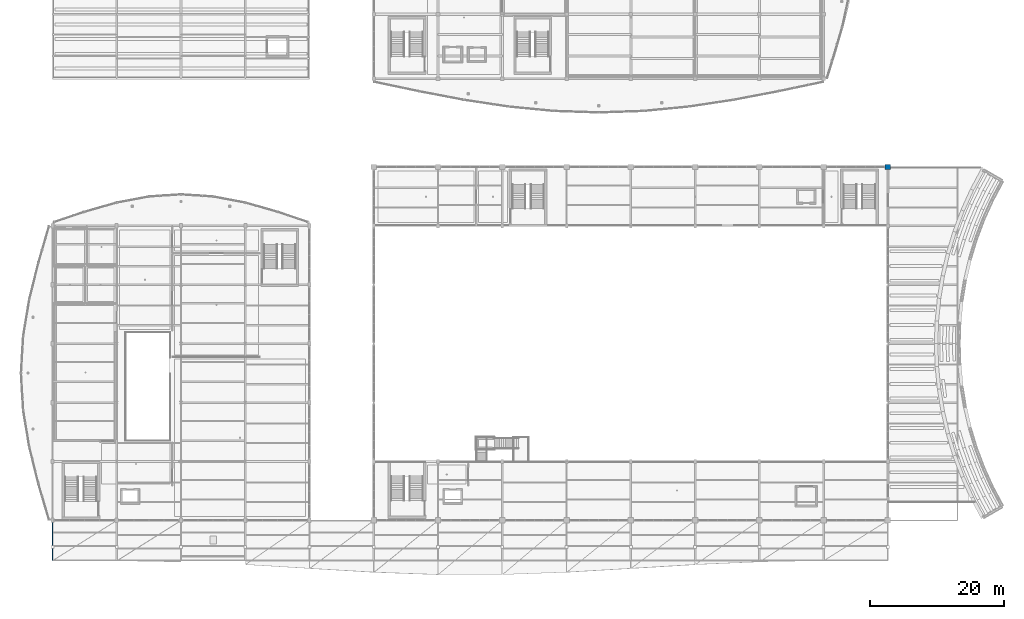
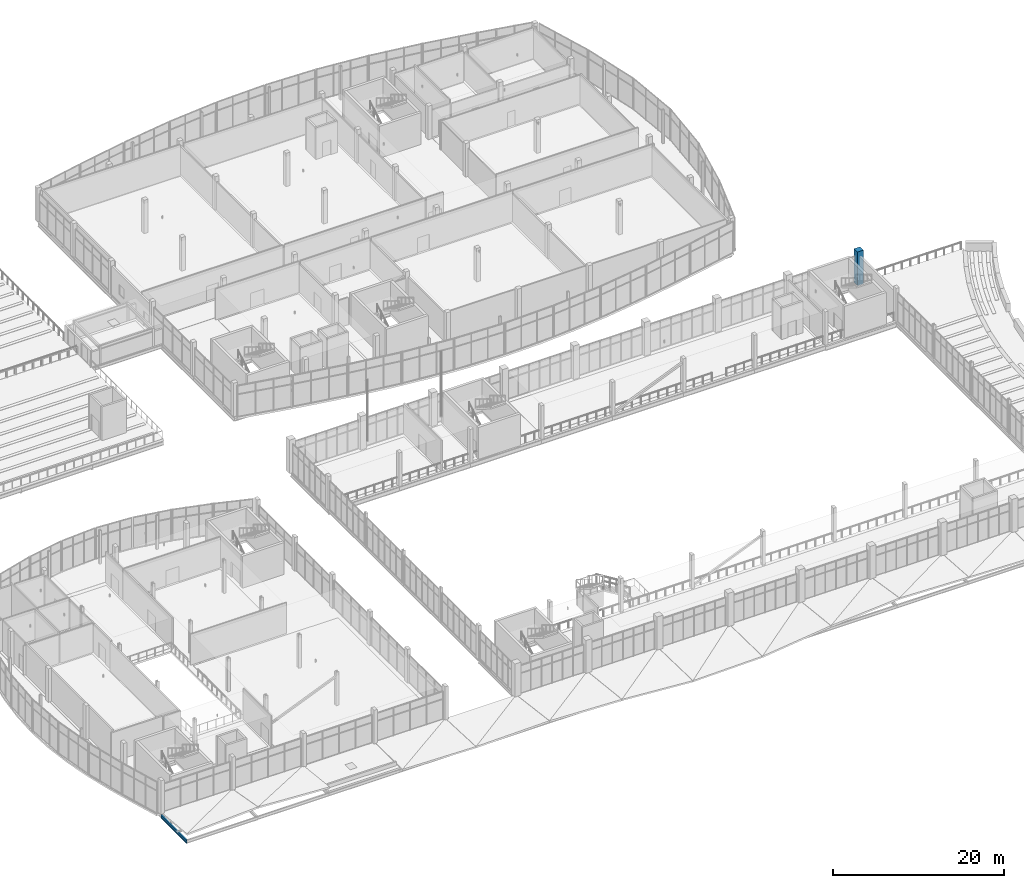
# One storey, part 13 of 157: 1 beam, 1 column.
"""IFC4 building model written with IfcOpenShell, lengths in metres."""

import ifcopenshell
import ifcopenshell.guid

model = None  # the IFC model being written
_history = None  # IfcOwnerHistory: only IFC2X3 demands one
_inside = {}  # id of a spatial element -> (the spatial element, [elements in it])
_under = {}  # id of a project, library or spatial element -> (it, [spatial elements below it])
_declared = {}  # id of a project -> (the project, [libraries it declares])
_typed = {}  # id of a type object -> (the type object, [elements of that type])
_made_of = {}  # id of a material, layer set ... -> (it, [elements and type objects made of it])


def new_model(schema):
    """Start an empty IFC model of exactly this schema.

    Asked for "IFC4X3", IfcOpenShell would pick the latest addendum, in which some entities
    have other attributes; the version numbers below select the first issue.
    IFC2X3 requires an IfcOwnerHistory on every rooted entity: one is made here for all.
    """
    global model, _history
    if schema == "IFC4X3":
        model = ifcopenshell.file(schema_version=(4, 3, 0, 0))
    else:
        model = ifcopenshell.file(schema=schema)
    _inside.clear()
    _under.clear()
    _declared.clear()
    _typed.clear()
    _made_of.clear()
    _history = None
    if model.schema == "IFC2X3":
        org = make("IfcOrganization", Name="unknown")
        user = make(
            "IfcPersonAndOrganization",
            ThePerson=make("IfcPerson", FamilyName="unknown"),
            TheOrganization=org,
        )
        app = make(
            "IfcApplication",
            ApplicationDeveloper=org,
            Version="unknown",
            ApplicationFullName="unknown",
            ApplicationIdentifier="unknown",
        )
        _history = make(
            "IfcOwnerHistory",
            OwningUser=user,
            OwningApplication=app,
            ChangeAction="ADDED",
            CreationDate=0,
        )
    return model


def make(cls, **values):
    """One entity of the class cls with the attributes given. An attribute that is None is left unset."""
    return model.create_entity(
        cls, **{name: value for name, value in values.items() if value is not None}
    )


def rooted(cls, **values):
    """An entity with a GlobalId (a new one), such as an element, a storey or a relation."""
    return make(cls, GlobalId=ifcopenshell.guid.new(), OwnerHistory=_history, **values)


def si_unit(unit_type, name, prefix=None):
    """IfcSIUnit, for example si_unit("LENGTHUNIT", "METRE", prefix="MILLI")."""
    return make("IfcSIUnit", UnitType=unit_type, Prefix=prefix, Name=name)


def assignment(units):
    """IfcUnitAssignment: the units of a project."""
    return None if units is None else make("IfcUnitAssignment", Units=units)


def point(xyz):
    """IfcCartesianPoint."""
    return None if xyz is None else make("IfcCartesianPoint", Coordinates=xyz)


def direction(xyz):
    """IfcDirection."""
    return None if xyz is None else make("IfcDirection", DirectionRatios=xyz)


def frame(location, z_axis=None, x_axis=None):
    """IfcAxis2Placement3D, a coordinate frame: its origin and axes. An axis left out is left unset."""
    return make(
        "IfcAxis2Placement3D",
        Location=point(location),
        Axis=direction(z_axis),
        RefDirection=direction(x_axis),
    )


def frame_2d(location, x_axis=None):
    """IfcAxis2Placement2D, a coordinate frame in the plane: its origin and x axis."""
    return make(
        "IfcAxis2Placement2D", Location=point(location), RefDirection=direction(x_axis)
    )


def origin():
    """The frame at (0, 0, 0) with its axes left unset."""
    return frame((0.0, 0.0, 0.0))


def origin_2d():
    """The frame at (0, 0) in the plane with its x axis left unset."""
    return frame_2d((0.0, 0.0))


def place(relative_to, where):
    """IfcLocalPlacement: puts the frame where relative to a parent placement (None: the world)."""
    return make(
        "IfcLocalPlacement", PlacementRelTo=relative_to, RelativePlacement=where
    )


def context(
    kind, dimensions, precision=None, world=None, true_north=None, identifier=None
):
    """IfcGeometricRepresentationContext, for example the 3D "Model" context."""
    return make(
        "IfcGeometricRepresentationContext",
        ContextIdentifier=identifier,
        ContextType=kind,
        CoordinateSpaceDimension=dimensions,
        Precision=precision,
        WorldCoordinateSystem=world,
        TrueNorth=true_north,
    )


def subcontext(parent, identifier, kind, view, scale=None):
    """IfcGeometricRepresentationSubContext, for example "Body" below "Model"."""
    return make(
        "IfcGeometricRepresentationSubContext",
        ContextIdentifier=identifier,
        ContextType=kind,
        ParentContext=parent,
        TargetScale=scale,
        TargetView=view,
    )


def project(units=None, contexts=None):
    """IfcProject with its units and contexts."""
    return rooted(
        "IfcProject",
        Name="project",
        RepresentationContexts=contexts,
        UnitsInContext=assignment(units),
    )


def spatial(cls, under=None, at=None, **own):
    """A site, building, storey or space (cls), placed at a placement, below another one or the project."""
    s = rooted(cls, ObjectPlacement=at, **own)
    if under is not None:
        _under.setdefault(under.id(), (under, []))[1].append(s)
    return s


def profile(cls, at=None, kind="AREA", **sizes):
    """A parametric profile (cls). Its sizes go by their IFC names, for example OverallWidth=200.0."""
    return make(cls, ProfileType=kind, Position=at, **sizes)


def rectangle(**sizes):
    """IfcRectangleProfileDef."""
    return profile("IfcRectangleProfileDef", **sizes)


def i_section(**sizes):
    """IfcIShapeProfileDef."""
    return profile("IfcIShapeProfileDef", **sizes)


def extrude(swept, where, along, depth):
    """IfcExtrudedAreaSolid: the profile swept, set in the frame where, extruded along a direction by depth."""
    return make(
        "IfcExtrudedAreaSolid",
        SweptArea=swept,
        Position=where,
        ExtrudedDirection=direction(along),
        Depth=depth,
    )


def shape(context_of_items, identifier, shape_type, items):
    """IfcShapeRepresentation: the items that make up one representation, for example the "Body"."""
    return make(
        "IfcShapeRepresentation",
        ContextOfItems=context_of_items,
        RepresentationIdentifier=identifier,
        RepresentationType=shape_type,
        Items=items,
    )


def material(Name=None, Category=None):
    """IfcMaterial."""
    return make("IfcMaterial", Name=Name, Category=Category)


def material_profile(
    of_material, cross_section, Name=None, Category=None, Priority=None
):
    """IfcMaterialProfile: a cross section and its material."""
    return make(
        "IfcMaterialProfile",
        Name=Name,
        Material=of_material,
        Profile=cross_section,
        Priority=Priority,
        Category=Category,
    )


def profile_set(profiles, Name=None, composite=None):
    """IfcMaterialProfileSet."""
    return make(
        "IfcMaterialProfileSet",
        Name=Name,
        MaterialProfiles=profiles,
        CompositeProfile=composite,
    )


def made_of(thing, what):
    """Note that an element or type object is made of a material, layer set ...; save() writes the relation."""
    if what is not None:
        _made_of.setdefault(what.id(), (what, []))[1].append(thing)
    return thing


def type_object(cls, material=None, **own):
    """A type object (cls), such as IfcWallType, which elements share."""
    return made_of(rooted(cls, **own), material)


def element(
    cls,
    number,
    at=None,
    inside=None,
    cuts=None,
    type_object=None,
    material=None,
    context=None,
    identifier="Body",
    shape_type=None,
    held_by="IfcProductDefinitionShape",
    body=None,
    shapes=None,
    **own,
):
    """One element of the class cls, such as IfcWall. Its Tag is "e" and its number.

    at: its placement. inside: the storey or other place that contains it. cuts: it is an
    opening in that element (IfcRelVoidsElement). A single representation is given by context,
    identifier, shape_type and body (its items); several are given by shapes. held_by: the class
    of the entity that holds the representations. save() writes the other relations.
    """
    e = rooted(cls, Tag="e%d" % number, ObjectPlacement=at, **own)
    if body is not None:
        shapes = [shape(context, identifier, shape_type, body)]
    if shapes is not None:
        e.Representation = make(held_by, Representations=shapes)
    if inside is not None:
        _inside.setdefault(inside.id(), (inside, []))[1].append(e)
    if cuts is not None:
        rooted(
            "IfcRelVoidsElement", RelatingBuildingElement=cuts, RelatedOpeningElement=e
        )
    if type_object is not None:
        _typed.setdefault(type_object.id(), (type_object, []))[1].append(e)
    return made_of(e, material)


def aggregate(whole, parts):
    """IfcRelAggregates: a whole, such as a stair, and the parts it consists of."""
    return rooted("IfcRelAggregates", RelatingObject=whole, RelatedObjects=parts)


def save(model, path):
    """Write the relations noted so far, then the file.

    IfcRelAggregates (storeys below a building ...), IfcRelContainedInSpatialStructure (elements
    in a storey), IfcRelDefinesByType, IfcRelAssociatesMaterial and IfcRelDeclares: one each for
    every whole, place, type object, material and project.
    """
    for whole, parts in _under.values():
        aggregate(whole, parts)
    for where, things in _inside.values():
        rooted(
            "IfcRelContainedInSpatialStructure",
            RelatedElements=things,
            RelatingStructure=where,
        )
    for kind, things in _typed.values():
        rooted("IfcRelDefinesByType", RelatedObjects=things, RelatingType=kind)
    for what, things in _made_of.values():
        rooted("IfcRelAssociatesMaterial", RelatedObjects=things, RelatingMaterial=what)
    for by, libraries in _declared.values():
        rooted("IfcRelDeclares", RelatingContext=by, RelatedDefinitions=libraries)
    model.write(path)


model = new_model("IFC4")

# Units and contexts
model_context = context("Model", 3, precision=1e-05, world=origin(), true_north=direction((0.0, 1.0)))
body_context = subcontext(model_context, "Body", "Model", "MODEL_VIEW")
ifc_project = project(units=[si_unit("LENGTHUNIT", "METRE"), si_unit("AREAUNIT", "SQUARE_METRE"), si_unit("VOLUMEUNIT", "CUBIC_METRE"), si_unit("PLANEANGLEUNIT", "RADIAN"), si_unit("MASSUNIT", "GRAM", prefix="KILO")], contexts=[model_context])

# Site, building, storey
site_placement = place(None, origin())
site = spatial("IfcSite", under=ifc_project, at=site_placement, CompositionType="ELEMENT")
building_placement = place(site_placement, origin())
building = spatial("IfcBuilding", under=site, at=building_placement, Name="Chalmorin Arch Market", CompositionType="ELEMENT")
storey_placement = place(building_placement, frame((0.0, 0.0, 4.800048828125)))
storey = spatial("IfcBuildingStorey", under=building, at=storey_placement, Name="L01", CompositionType="ELEMENT", Elevation=4.800048828125)

# Column
ifc_material_1 = material(Name="Concrete C50/60", Category="concrete")
ifc_material_profile_1 = material_profile(ifc_material_1, rectangle(XDim=0.800048828125, YDim=0.800048828125, at=origin_2d()), Name="RC800X800")
ifc_profile_set_1 = profile_set([ifc_material_profile_1], Name="Concrete C50/60")
column_type = type_object("IfcColumnType", Name="ArchPierColumn-800x800", PredefinedType="COLUMN", material=ifc_profile_set_1)
column_placement = place(storey_placement, frame((124.800048828125, 58.800048828125, 0.0), z_axis=(0.0, 0.0, 1.0), x_axis=(1.0, 0.0, 0.0)))
element("IfcColumn", 1, at=column_placement, inside=storey, type_object=column_type, Name="C-AP1-674", PredefinedType="COLUMN", context=body_context, shape_type="SweptSolid", body=[
    extrude(rectangle(XDim=0.800048828125, YDim=0.800048828125, at=origin_2d()), origin(), (0.0, 0.0, 1.0), 4.800048828125),
])

# Beam
ifc_material_2 = material(Name="Steel A992 Grade 50", Category="steel")
ifc_material_profile_2 = material_profile(ifc_material_2, i_section(OverallWidth=0.19091796875, OverallDepth=0.45703125, WebThickness=0.009033203125, FlangeThickness=0.014404296875, FilletRadius=0.02001953125, at=origin_2d()), Name="W18X50")
ifc_profile_set_2 = profile_set([ifc_material_profile_2], Name="Steel A992 Grade 50")
beam_type = type_object("IfcBeamType", Name="PerimeterSpandrelBeam-W18X50", PredefinedType="SPANDREL", material=ifc_profile_set_2)
beam_placement = place(storey_placement, frame((0.0, 0.0, -0.510498046875), z_axis=(0.0, 1.0, 0.0), x_axis=(-1.0, 0.0, 0.0)))
element("IfcBeam", 2, at=beam_placement, inside=storey, type_object=beam_type, Name="SP-W18-1025", PredefinedType="SPANDREL", context=body_context, shape_type="SweptSolid", body=[
    extrude(i_section(OverallWidth=0.19091796875, OverallDepth=0.45703125, WebThickness=0.009033203125, FlangeThickness=0.014404296875, FilletRadius=0.02001953125, at=origin_2d()), origin(), (0.0, 0.0, 1.0), 6.0),
])

save(model, "model.ifc")
